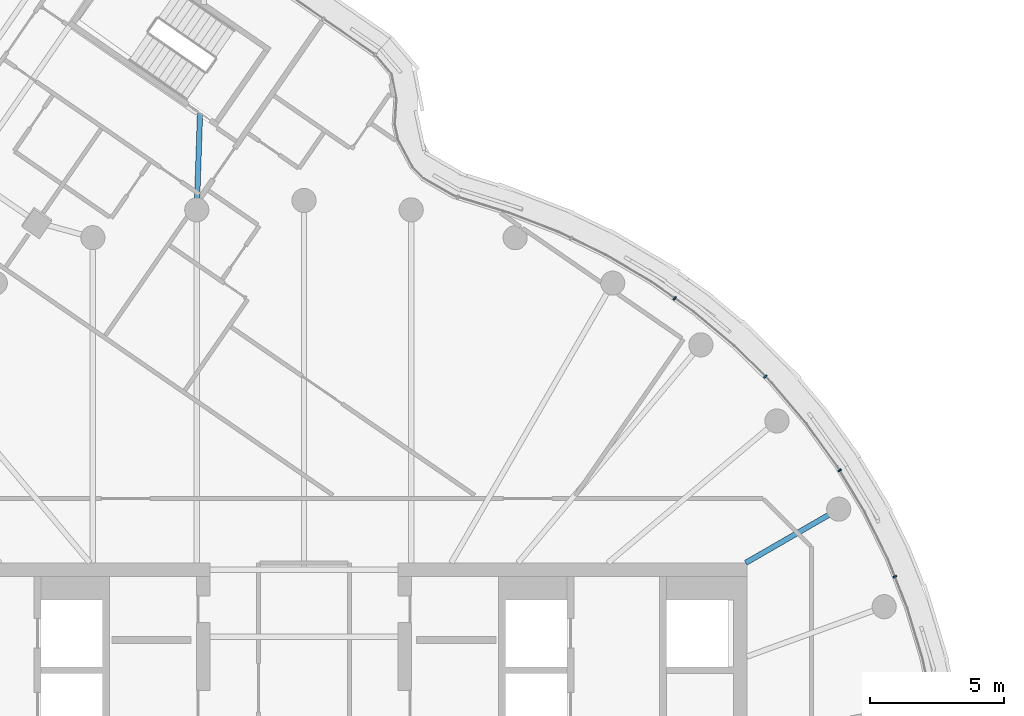
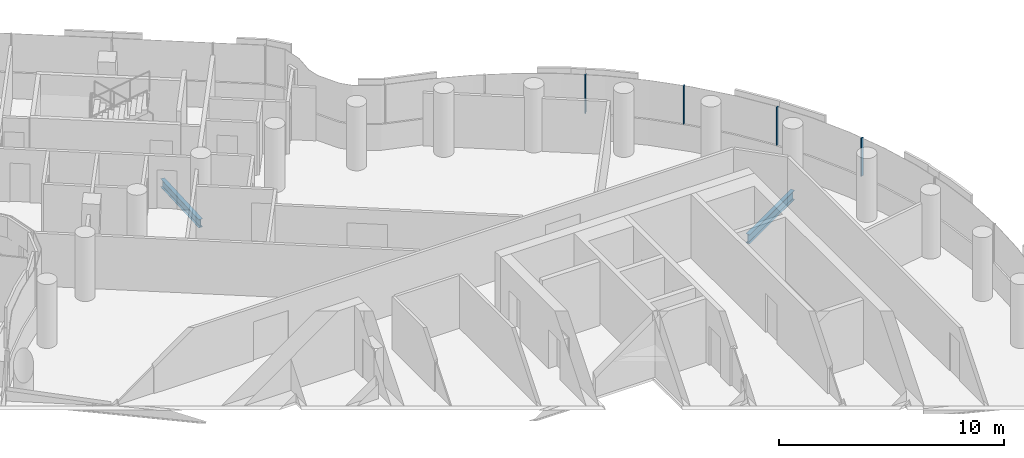
# One storey, part 12 of 26: 4 members, 2 beams, 1 element without a shape of its own.
"""IFC4 building model written with IfcOpenShell, lengths in metres."""

import ifcopenshell
import ifcopenshell.guid

model = None  # the IFC model being written
_history = None  # IfcOwnerHistory: only IFC2X3 demands one
_inside = {}  # id of a spatial element -> (the spatial element, [elements in it])
_under = {}  # id of a project, library or spatial element -> (it, [spatial elements below it])
_declared = {}  # id of a project -> (the project, [libraries it declares])
_typed = {}  # id of a type object -> (the type object, [elements of that type])
_made_of = {}  # id of a material, layer set ... -> (it, [elements and type objects made of it])


def new_model(schema):
    """Start an empty IFC model of exactly this schema.

    Asked for "IFC4X3", IfcOpenShell would pick the latest addendum, in which some entities
    have other attributes; the version numbers below select the first issue.
    IFC2X3 requires an IfcOwnerHistory on every rooted entity: one is made here for all.
    """
    global model, _history
    if schema == "IFC4X3":
        model = ifcopenshell.file(schema_version=(4, 3, 0, 0))
    else:
        model = ifcopenshell.file(schema=schema)
    _inside.clear()
    _under.clear()
    _declared.clear()
    _typed.clear()
    _made_of.clear()
    _history = None
    if model.schema == "IFC2X3":
        org = make("IfcOrganization", Name="unknown")
        user = make(
            "IfcPersonAndOrganization",
            ThePerson=make("IfcPerson", FamilyName="unknown"),
            TheOrganization=org,
        )
        app = make(
            "IfcApplication",
            ApplicationDeveloper=org,
            Version="unknown",
            ApplicationFullName="unknown",
            ApplicationIdentifier="unknown",
        )
        _history = make(
            "IfcOwnerHistory",
            OwningUser=user,
            OwningApplication=app,
            ChangeAction="ADDED",
            CreationDate=0,
        )
    return model


def make(cls, **values):
    """One entity of the class cls with the attributes given. An attribute that is None is left unset."""
    return model.create_entity(
        cls, **{name: value for name, value in values.items() if value is not None}
    )


def rooted(cls, **values):
    """An entity with a GlobalId (a new one), such as an element, a storey or a relation."""
    return make(cls, GlobalId=ifcopenshell.guid.new(), OwnerHistory=_history, **values)


def si_unit(unit_type, name, prefix=None):
    """IfcSIUnit, for example si_unit("LENGTHUNIT", "METRE", prefix="MILLI")."""
    return make("IfcSIUnit", UnitType=unit_type, Prefix=prefix, Name=name)


def assignment(units):
    """IfcUnitAssignment: the units of a project."""
    return None if units is None else make("IfcUnitAssignment", Units=units)


def point(xyz):
    """IfcCartesianPoint."""
    return None if xyz is None else make("IfcCartesianPoint", Coordinates=xyz)


def direction(xyz):
    """IfcDirection."""
    return None if xyz is None else make("IfcDirection", DirectionRatios=xyz)


def frame(location, z_axis=None, x_axis=None):
    """IfcAxis2Placement3D, a coordinate frame: its origin and axes. An axis left out is left unset."""
    return make(
        "IfcAxis2Placement3D",
        Location=point(location),
        Axis=direction(z_axis),
        RefDirection=direction(x_axis),
    )


def frame_2d(location, x_axis=None):
    """IfcAxis2Placement2D, a coordinate frame in the plane: its origin and x axis."""
    return make(
        "IfcAxis2Placement2D", Location=point(location), RefDirection=direction(x_axis)
    )


def origin():
    """The frame at (0, 0, 0) with its axes left unset."""
    return frame((0.0, 0.0, 0.0))


def origin_2d():
    """The frame at (0, 0) in the plane with its x axis left unset."""
    return frame_2d((0.0, 0.0))


def place(relative_to, where):
    """IfcLocalPlacement: puts the frame where relative to a parent placement (None: the world)."""
    return make(
        "IfcLocalPlacement", PlacementRelTo=relative_to, RelativePlacement=where
    )


def context(
    kind, dimensions, precision=None, world=None, true_north=None, identifier=None
):
    """IfcGeometricRepresentationContext, for example the 3D "Model" context."""
    return make(
        "IfcGeometricRepresentationContext",
        ContextIdentifier=identifier,
        ContextType=kind,
        CoordinateSpaceDimension=dimensions,
        Precision=precision,
        WorldCoordinateSystem=world,
        TrueNorth=true_north,
    )


def subcontext(parent, identifier, kind, view, scale=None):
    """IfcGeometricRepresentationSubContext, for example "Body" below "Model"."""
    return make(
        "IfcGeometricRepresentationSubContext",
        ContextIdentifier=identifier,
        ContextType=kind,
        ParentContext=parent,
        TargetScale=scale,
        TargetView=view,
    )


def project(units=None, contexts=None):
    """IfcProject with its units and contexts."""
    return rooted(
        "IfcProject",
        Name="project",
        RepresentationContexts=contexts,
        UnitsInContext=assignment(units),
    )


def spatial(cls, under=None, at=None, **own):
    """A site, building, storey or space (cls), placed at a placement, below another one or the project."""
    s = rooted(cls, ObjectPlacement=at, **own)
    if under is not None:
        _under.setdefault(under.id(), (under, []))[1].append(s)
    return s


def profile(cls, at=None, kind="AREA", **sizes):
    """A parametric profile (cls). Its sizes go by their IFC names, for example OverallWidth=200.0."""
    return make(cls, ProfileType=kind, Position=at, **sizes)


def rectangle(**sizes):
    """IfcRectangleProfileDef."""
    return profile("IfcRectangleProfileDef", **sizes)


def i_section(**sizes):
    """IfcIShapeProfileDef."""
    return profile("IfcIShapeProfileDef", **sizes)


def extrude(swept, where, along, depth):
    """IfcExtrudedAreaSolid: the profile swept, set in the frame where, extruded along a direction by depth."""
    return make(
        "IfcExtrudedAreaSolid",
        SweptArea=swept,
        Position=where,
        ExtrudedDirection=direction(along),
        Depth=depth,
    )


def shape(context_of_items, identifier, shape_type, items):
    """IfcShapeRepresentation: the items that make up one representation, for example the "Body"."""
    return make(
        "IfcShapeRepresentation",
        ContextOfItems=context_of_items,
        RepresentationIdentifier=identifier,
        RepresentationType=shape_type,
        Items=items,
    )


def material(Name=None, Category=None):
    """IfcMaterial."""
    return make("IfcMaterial", Name=Name, Category=Category)


def layer(
    of_material, thickness, ventilated=None, Name=None, Category=None, Priority=None
):
    """IfcMaterialLayer: one layer of a wall or slab, of a material (None: an air gap)."""
    return make(
        "IfcMaterialLayer",
        Material=of_material,
        LayerThickness=thickness,
        IsVentilated=ventilated,
        Name=Name,
        Category=Category,
        Priority=Priority,
    )


def layer_set(layers, Name=None):
    """IfcMaterialLayerSet."""
    return make("IfcMaterialLayerSet", MaterialLayers=layers, LayerSetName=Name)


def material_profile(
    of_material, cross_section, Name=None, Category=None, Priority=None
):
    """IfcMaterialProfile: a cross section and its material."""
    return make(
        "IfcMaterialProfile",
        Name=Name,
        Material=of_material,
        Profile=cross_section,
        Priority=Priority,
        Category=Category,
    )


def profile_set(profiles, Name=None, composite=None):
    """IfcMaterialProfileSet."""
    return make(
        "IfcMaterialProfileSet",
        Name=Name,
        MaterialProfiles=profiles,
        CompositeProfile=composite,
    )


def made_of(thing, what):
    """Note that an element or type object is made of a material, layer set ...; save() writes the relation."""
    if what is not None:
        _made_of.setdefault(what.id(), (what, []))[1].append(thing)
    return thing


def type_object(cls, material=None, **own):
    """A type object (cls), such as IfcWallType, which elements share."""
    return made_of(rooted(cls, **own), material)


def element(
    cls,
    number,
    at=None,
    inside=None,
    cuts=None,
    type_object=None,
    material=None,
    context=None,
    identifier="Body",
    shape_type=None,
    held_by="IfcProductDefinitionShape",
    body=None,
    shapes=None,
    **own,
):
    """One element of the class cls, such as IfcWall. Its Tag is "e" and its number.

    at: its placement. inside: the storey or other place that contains it. cuts: it is an
    opening in that element (IfcRelVoidsElement). A single representation is given by context,
    identifier, shape_type and body (its items); several are given by shapes. held_by: the class
    of the entity that holds the representations. save() writes the other relations.
    """
    e = rooted(cls, Tag="e%d" % number, ObjectPlacement=at, **own)
    if body is not None:
        shapes = [shape(context, identifier, shape_type, body)]
    if shapes is not None:
        e.Representation = make(held_by, Representations=shapes)
    if inside is not None:
        _inside.setdefault(inside.id(), (inside, []))[1].append(e)
    if cuts is not None:
        rooted(
            "IfcRelVoidsElement", RelatingBuildingElement=cuts, RelatedOpeningElement=e
        )
    if type_object is not None:
        _typed.setdefault(type_object.id(), (type_object, []))[1].append(e)
    return made_of(e, material)


def aggregate(whole, parts):
    """IfcRelAggregates: a whole, such as a stair, and the parts it consists of."""
    return rooted("IfcRelAggregates", RelatingObject=whole, RelatedObjects=parts)


def save(model, path):
    """Write the relations noted so far, then the file.

    IfcRelAggregates (storeys below a building ...), IfcRelContainedInSpatialStructure (elements
    in a storey), IfcRelDefinesByType, IfcRelAssociatesMaterial and IfcRelDeclares: one each for
    every whole, place, type object, material and project.
    """
    for whole, parts in _under.values():
        aggregate(whole, parts)
    for where, things in _inside.values():
        rooted(
            "IfcRelContainedInSpatialStructure",
            RelatedElements=things,
            RelatingStructure=where,
        )
    for kind, things in _typed.values():
        rooted("IfcRelDefinesByType", RelatedObjects=things, RelatingType=kind)
    for what, things in _made_of.values():
        rooted("IfcRelAssociatesMaterial", RelatedObjects=things, RelatingMaterial=what)
    for by, libraries in _declared.values():
        rooted("IfcRelDeclares", RelatingContext=by, RelatedDefinitions=libraries)
    model.write(path)


model = new_model("IFC4")

# Units and contexts
model_context = context("Model", 3, precision=1e-05, world=origin(), true_north=direction((0.0, 1.0)))
body_context = subcontext(model_context, "Body", "Model", "MODEL_VIEW")
ifc_project = project(units=[si_unit("LENGTHUNIT", "METRE"), si_unit("AREAUNIT", "SQUARE_METRE"), si_unit("VOLUMEUNIT", "CUBIC_METRE"), si_unit("PLANEANGLEUNIT", "RADIAN"), si_unit("MASSUNIT", "GRAM", prefix="KILO")], contexts=[model_context])

# Site, building, storey
site_placement = place(None, origin())
site = spatial("IfcSite", under=ifc_project, at=site_placement, CompositionType="ELEMENT")
building_placement = place(site_placement, origin())
building = spatial("IfcBuilding", under=site, at=building_placement, Name="Tamarind Cross Interchange Tower", CompositionType="ELEMENT")
storey_placement = place(building_placement, frame((0.0, 0.0, 234.300048828125)))
storey = spatial("IfcBuildingStorey", under=building, at=storey_placement, Name="L59", CompositionType="ELEMENT", Elevation=234.300048828125)

# Beams
ifc_material_1 = material(Name="Steel Q355B", Category="steel")
ifc_material_profile_1 = material_profile(ifc_material_1, i_section(OverallWidth=0.198974609375, OverallDepth=0.446044921875, WebThickness=0.008056640625, FlangeThickness=0.011962890625, FilletRadius=0.012939453125, at=origin_2d()), Name="HN 446x199x8x12")
ifc_profile_set_1 = profile_set([ifc_material_profile_1], Name="Steel Q355B")
beam_type_1 = type_object("IfcBeamType", Name="Composite beam HN 446x199x8x12 Q355B", PredefinedType="BEAM", material=ifc_profile_set_1)
beam_1_placement = place(storey_placement, frame((-3.87255859375, 26.25390625, -0.363037109375), z_axis=(-0.03365529166, -0.999433500211, 0.0), x_axis=(0.999433500211, -0.03365529166, 0.0)))
element("IfcBeam", 1, at=beam_1_placement, inside=storey, type_object=beam_type_1, Name="Beam N-linkemt1", PredefinedType="BEAM", context=body_context, shape_type="SweptSolid", body=[
    extrude(i_section(OverallWidth=0.198974609375, OverallDepth=0.446044921875, WebThickness=0.008056640625, FlangeThickness=0.011962890625, FilletRadius=0.012939453125, at=origin_2d()), origin(), (0.0, 0.0, 1.0), 3.605224609375),
])
ifc_material_profile_2 = material_profile(ifc_material_1, i_section(OverallWidth=0.198974609375, OverallDepth=0.49609375, WebThickness=0.009033203125, FlangeThickness=0.013916015625, FilletRadius=0.012939453125, at=origin_2d()), Name="HN 496x199x9x14")
ifc_profile_set_2 = profile_set([ifc_material_profile_2], Name="Steel Q355B")
beam_type_2 = type_object("IfcBeamType", Name="Composite beam HN 496x199x9x14 Q355B", PredefinedType="BEAM", material=ifc_profile_set_2)
beam_2_placement = place(storey_placement, frame((19.918701171875, 11.5, -0.387939453125), z_axis=(-0.866026010844, -0.49999894854, 0.0), x_axis=(0.49999894854, -0.866026010844, 0.0)))
element("IfcBeam", 2, at=beam_2_placement, inside=storey, type_object=beam_type_2, Name="Beam HH03", PredefinedType="BEAM", context=body_context, shape_type="SweptSolid", body=[
    extrude(i_section(OverallWidth=0.198974609375, OverallDepth=0.49609375, WebThickness=0.009033203125, FlangeThickness=0.013916015625, FilletRadius=0.012939453125, at=origin_2d()), origin(), (0.0, 0.0, 1.0), 4.0),
])

# Curtain wall, members
ifc_material_2 = material(Name="Aluminium 6063-T6", Category="aluminium")
ifc_layer = layer(ifc_material_2, 0.139892578125)
ifc_layer_set = layer_set([ifc_layer], Name="Aluminium 6063-T6")
curtain_wall_type = type_object("IfcCurtainWallType", Name="Hotel curtain wall, 4.5 m bays", PredefinedType="NOTDEFINED", material=ifc_layer_set)
curtain_wall_placement = place(storey_placement, origin())
curtain_wall = element("IfcCurtainWall", 3, at=curtain_wall_placement, inside=storey, type_object=curtain_wall_type, Name="CWS-L59-02", PredefinedType="NOTDEFINED")
ifc_material_profile_3 = material_profile(ifc_material_2, rectangle(XDim=0.06005859375, YDim=0.139892578125, at=origin_2d()), Name="Mullion CW2")
ifc_profile_set_3 = profile_set([ifc_material_profile_3], Name="Aluminium 6063-T6")
member_type = type_object("IfcMemberType", Name="Mullion CW2", PredefinedType="MULLION", material=ifc_profile_set_3)
member_1_placement = place(storey_placement, frame((22.012451171875, 8.98876953125, 1.39990234375), z_axis=(0.0, 0.0, 1.0), x_axis=(-0.367513773146, 0.930018078613, 0.0)))
member_1 = element("IfcMember", 4, at=member_1_placement, type_object=member_type, Name="CWM-L59-02-16", PredefinedType="MULLION", context=body_context, shape_type="SweptSolid", body=[
    extrude(rectangle(XDim=0.06005859375, YDim=0.139892578125, at=origin_2d()), origin(), (0.0, 0.0, 1.0), 2.06005859375),
])
member_2_placement = place(storey_placement, frame((19.95751953125, 12.946533203125, 1.39990234375), z_axis=(0.0, 0.0, 1.0), x_axis=(-0.515577308909, 0.856843065292, 0.0)))
member_2 = element("IfcMember", 5, at=member_2_placement, type_object=member_type, Name="CWM-L59-02-17", PredefinedType="MULLION", context=body_context, shape_type="SweptSolid", body=[
    extrude(rectangle(XDim=0.06005859375, YDim=0.139892578125, at=origin_2d()), origin(), (0.0, 0.0, 1.0), 2.06005859375),
])
member_3_placement = place(storey_placement, frame((17.186767578125, 16.4404296875, 1.39990234375), z_axis=(0.0, 0.0, 1.0), x_axis=(-0.710143317658, 0.704057148523, 0.0)))
member_3 = element("IfcMember", 6, at=member_3_placement, type_object=member_type, Name="CWM-L59-02-18", PredefinedType="MULLION", context=body_context, shape_type="SweptSolid", body=[
    extrude(rectangle(XDim=0.06005859375, YDim=0.139892578125, at=origin_2d()), origin(), (0.0, 0.0, 1.0), 2.06005859375),
])
member_4_placement = place(storey_placement, frame((13.810546875, 19.353271484375, 1.39990234375), z_axis=(0.0, 0.0, 1.0), x_axis=(-0.816341886298, 0.577568978284, 0.0)))
member_4 = element("IfcMember", 7, at=member_4_placement, type_object=member_type, Name="CWM-L59-02-19", PredefinedType="MULLION", context=body_context, shape_type="SweptSolid", body=[
    extrude(rectangle(XDim=0.06005859375, YDim=0.139892578125, at=origin_2d()), origin(), (0.0, 0.0, 1.0), 2.06005859375),
])
aggregate(curtain_wall, [member_1, member_2, member_3, member_4])

save(model, "model.ifc")
